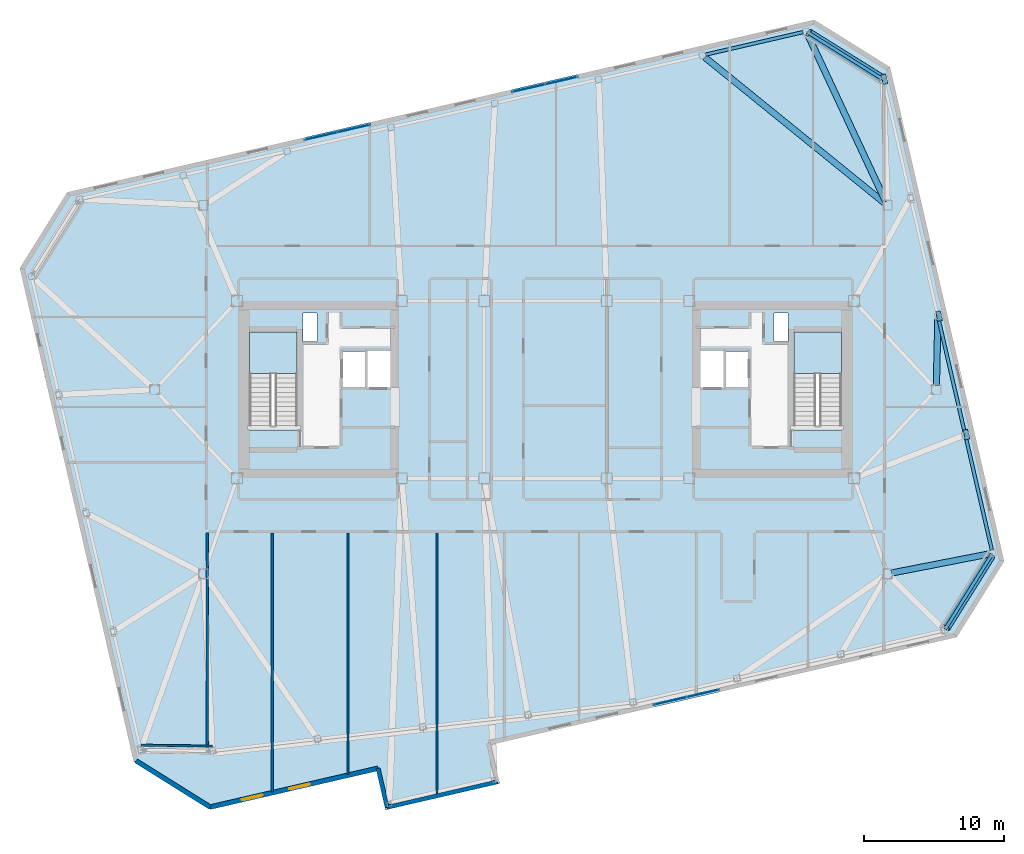
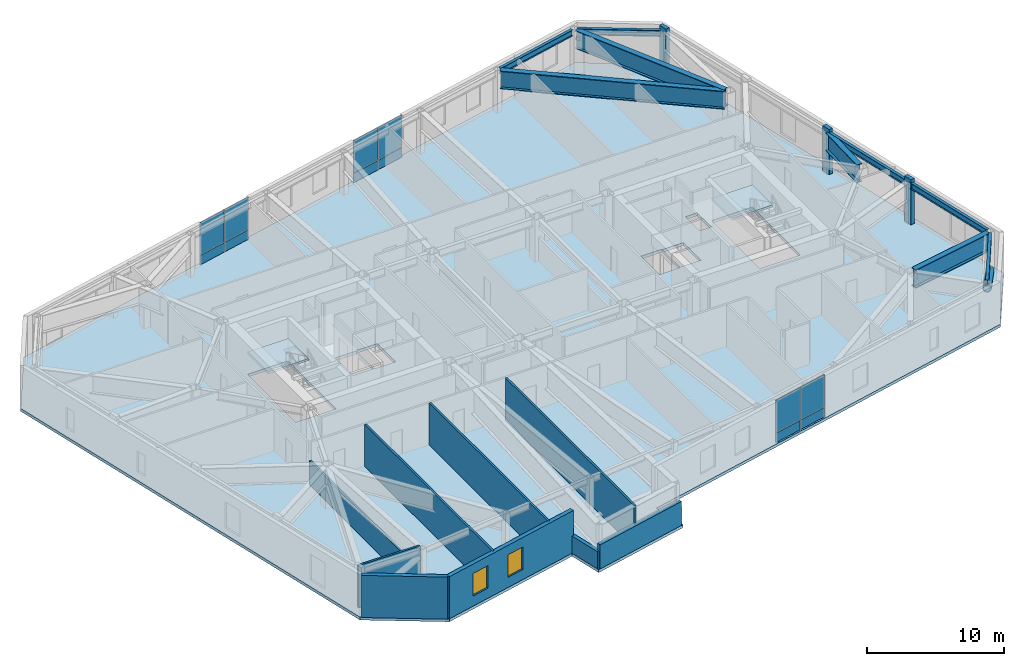
# One storey, part 13 of 21: 12 plates, 9 beams, 9 walls, 5 members, 3 slabs, 2 windows, 2 openings, 5 elements without a shape of their own.
"""IFC4 building model written with IfcOpenShell, lengths in metres."""

from ifc_helpers import new_model, si_unit, direction, frame, frame_2d, origin, origin_2d, place, context, subcontext, project, spatial, polyline, rectangle, hollow_circle, i_section, outline, extrude, material, layer, layer_set, material_profile, profile_set, type_object, element, fill, aggregate, save


model = new_model("IFC4")

# Units and contexts
model_context = context("Model", 3, precision=1e-05, world=origin(), true_north=direction((0.0, 1.0)))
body_context = subcontext(model_context, "Body", "Model", "MODEL_VIEW")
ifc_project = project(units=[si_unit("LENGTHUNIT", "METRE"), si_unit("AREAUNIT", "SQUARE_METRE"), si_unit("VOLUMEUNIT", "CUBIC_METRE"), si_unit("PLANEANGLEUNIT", "RADIAN"), si_unit("MASSUNIT", "GRAM", prefix="KILO")], contexts=[model_context])

# Site, building, storey
site_placement = place(None, origin())
site = spatial("IfcSite", under=ifc_project, at=site_placement, CompositionType="ELEMENT")
building_placement = place(site_placement, origin())
building = spatial("IfcBuilding", under=site, at=building_placement, Name="Tavrogorsk Clinical Tower", CompositionType="ELEMENT")
storey_placement = place(building_placement, frame((0.0, 0.0, 281.0)))
storey = spatial("IfcBuildingStorey", under=building, at=storey_placement, Name="L65", CompositionType="ELEMENT", Elevation=281.0)

# Members
ifc_material_1 = material(Name="Structural steel S440", Category="steel")
ifc_material_profile_1 = material_profile(ifc_material_1, hollow_circle(Radius=0.304931640625, WallThickness=0.02490234375, at=origin_2d()), Name="CHS-610x25")
ifc_profile_set_1 = profile_set([ifc_material_profile_1], Name="Structural steel S440")
member_type_1 = type_object("IfcMemberType", Name="ExoBrace_CHS610", PredefinedType="BRACE", material=ifc_profile_set_1)
for number, where, z_axis, x_axis, name in (
    (1, (31.9228515625, -11.9091796875, 0.393310546875), (-0.485685891885, -0.777193135924, 0.40010004236), (0.848027637525, -0.529952003481, 0.0), "L65 Corner Exoskeleton Brace S8-E1"),
    (2, (24.017578125, 22.332275390625, 0.393310546875), (-0.777221605895, 0.485643868835, 0.400095748531), (-0.529905066536, -0.848056967697, 0.0), "L65 Corner Exoskeleton Brace E5-N1"),
):
    element("IfcMember", number, at=place(storey_placement, frame(where, z_axis=z_axis, x_axis=x_axis)), inside=storey, type_object=member_type_1, Name=name, PredefinedType="BRACE", context=body_context, shape_type="SweptSolid", body=[
        extrude(hollow_circle(Radius=0.304931640625, WallThickness=0.02490234375, at=origin_2d()), origin(), (0.0, 0.0, 1.0), 6.63232421875),
    ])
ifc_material_2 = material(Name="Precast concrete B45 with limestone cladding", Category="masonry")
ifc_material_profile_2 = material_profile(ifc_material_2, rectangle(XDim=0.320068359375, YDim=0.719970703125, at=origin_2d()), Name="LIMESTONE-FIN-320x720")
ifc_profile_set_2 = profile_set([ifc_material_profile_2], Name="Precast concrete B45 with limestone cladding")
member_type_2 = type_object("IfcMemberType", Name="LimestonePleatFin_320x720", PredefinedType="USERDEFINED", material=ifc_profile_set_2)
for number, where, z_axis, x_axis, name in (
    (3, (30.154541015625, -3.223388671875, 0.0), (0.0, 0.0, 1.0), (0.974370064785, 0.224951054344, 0.0), "L65 E Pleated Stone Fin 1"),
    (4, (28.1953125, 5.263427734375, 0.0), (0.0, 0.0, 1.0), (0.974370064785, 0.224951054344, 0.0), "L65 E Pleated Stone Fin 2"),
    (5, (24.276611328125, 22.237060546875, 0.0), (0.0, 0.0, 1.0), (0.974370064785, 0.224951054344, 0.0), "L65 E Pleated Stone Fin 4"),
):
    element("IfcMember", number, at=place(storey_placement, frame(where, z_axis=z_axis, x_axis=x_axis)), inside=storey, type_object=member_type_2, Name=name, ObjectType="FIN", PredefinedType="USERDEFINED", context=body_context, shape_type="SweptSolid", body=[
        extrude(rectangle(XDim=0.320068359375, YDim=0.719970703125, at=origin_2d()), origin(), (0.0, 0.0, 1.0), 4.0),
    ])

# Beams
ifc_material_3 = material(Name="Structural steel S390", Category="steel")
ifc_material_profile_3 = material_profile(ifc_material_3, i_section(OverallWidth=0.239990234375, OverallDepth=0.550048828125, WebThickness=0.013916015625, FlangeThickness=0.02197265625, at=origin_2d()), Name="B-550x240x14x22")
ifc_profile_set_3 = profile_set([ifc_material_profile_3], Name="Structural steel S390")
beam_type_1 = type_object("IfcBeamType", Name="SpandrelBeam_B550", PredefinedType="SPANDREL", material=ifc_profile_set_3)
beam_1_placement = place(storey_placement, frame((28.712158203125, -17.04736328125, 3.465087890625), z_axis=(0.529904457892, 0.848057348006, 0.0), x_axis=(-0.848057348006, 0.529904457892, 0.0)))
element("IfcBeam", 6, at=beam_1_placement, inside=storey, type_object=beam_type_1, Name="L65 Perimeter Spandrel S8-E1", PredefinedType="SPANDREL", context=body_context, shape_type="SweptSolid", body=[
    extrude(i_section(OverallWidth=0.239990234375, OverallDepth=0.550048828125, WebThickness=0.013916015625, FlangeThickness=0.02197265625, at=origin_2d()), origin(), (0.0, 0.0, 1.0), 6.039306640625),
])
for number, where, z_axis, x_axis, name in (
    (7, (31.9833984375, -11.5009765625, 3.465087890625), (-0.224950345141, 0.974370228517, 0.0), (-0.974370228517, -0.224950345141, 0.0), "L65 Perimeter Spandrel E1-E2"),
    (8, (30.024169921875, -3.01416015625, 3.465087890625), (-0.224950345141, 0.974370228517, 0.0), (-0.974370228517, -0.224950345141, 0.0), "L65 Perimeter Spandrel E2-E3"),
):
    element("IfcBeam", number, at=place(storey_placement, frame(where, z_axis=z_axis, x_axis=x_axis)), inside=storey, type_object=beam_type_1, Name=name, PredefinedType="SPANDREL", context=body_context, shape_type="SweptSolid", body=[
        extrude(i_section(OverallWidth=0.239990234375, OverallDepth=0.550048828125, WebThickness=0.013916015625, FlangeThickness=0.02197265625, at=origin_2d()), origin(), (0.0, 0.0, 1.0), 8.243896484375),
    ])
beam_2_placement = place(storey_placement, frame((24.0009765625, 22.342529296875, 3.465087890625), z_axis=(-0.848057348006, 0.529904457892, 0.0), x_axis=(-0.529904457892, -0.848057348006, 0.0)))
element("IfcBeam", 9, at=beam_2_placement, inside=storey, type_object=beam_type_1, Name="L65 Perimeter Spandrel E5-N1", PredefinedType="SPANDREL", context=body_context, shape_type="SweptSolid", body=[
    extrude(i_section(OverallWidth=0.239990234375, OverallDepth=0.550048828125, WebThickness=0.013916015625, FlangeThickness=0.02197265625, at=origin_2d()), origin(), (0.0, 0.0, 1.0), 6.039306640625),
])
beam_3_placement = place(storey_placement, frame((18.45458984375, 25.61376953125, 3.465087890625), z_axis=(-0.974375120167, -0.224929155956, 0.0), x_axis=(0.224929155956, -0.974375120167, 0.0)))
element("IfcBeam", 10, at=beam_3_placement, inside=storey, type_object=beam_type_1, Name="L65 Perimeter Spandrel N1-N2", PredefinedType="SPANDREL", context=body_context, shape_type="SweptSolid", body=[
    extrude(i_section(OverallWidth=0.239990234375, OverallDepth=0.550048828125, WebThickness=0.013916015625, FlangeThickness=0.02197265625, at=origin_2d()), origin(), (0.0, 0.0, 1.0), 7.16796875),
])
ifc_material_4 = material(Name="Structural steel S440", Category="steel")
ifc_material_profile_4 = material_profile(ifc_material_4, i_section(OverallWidth=0.449951171875, OverallDepth=1.60009765625, WebThickness=0.031982421875, FlangeThickness=0.050048828125, at=origin_2d()), Name="DK-1600x450x32x50")
ifc_profile_set_4 = profile_set([ifc_material_profile_4], Name="Structural steel S440")
beam_type_2 = type_object("IfcBeamType", Name="TransferGirder_DK1600", PredefinedType="USERDEFINED", material=ifc_profile_set_4)
beam_4_placement = place(storey_placement, frame((24.368896484375, 13.48095703125, 2.93994140625), z_axis=(-0.422928957087, 0.906162842571, 0.0), x_axis=(-0.906162842571, -0.422928957087, 0.0)))
element("IfcBeam", 11, at=beam_4_placement, inside=storey, type_object=beam_type_2, Name="L65 Radial Floor Beam N1", ObjectType="GIRDER", PredefinedType="USERDEFINED", context=body_context, shape_type="SweptSolid", body=[
    extrude(i_section(OverallWidth=0.449951171875, OverallDepth=1.60009765625, WebThickness=0.031982421875, FlangeThickness=0.050048828125, at=origin_2d()), origin(), (0.0, 0.0, 1.0), 13.214111328125),
])
beam_5_placement = place(storey_placement, frame((24.25927734375, 13.395263671875, 2.93994140625), z_axis=(-0.77675399059, 0.629804126774, 0.0), x_axis=(-0.629804126774, -0.77675399059, 0.0)))
element("IfcBeam", 12, at=beam_5_placement, inside=storey, type_object=beam_type_2, Name="L65 Radial Floor Beam N2", ObjectType="GIRDER", PredefinedType="USERDEFINED", context=body_context, shape_type="SweptSolid", body=[
    extrude(i_section(OverallWidth=0.449951171875, OverallDepth=1.60009765625, WebThickness=0.031982421875, FlangeThickness=0.050048828125, at=origin_2d()), origin(), (0.0, 0.0, 1.0), 16.524169921875),
])
beam_6_placement = place(storey_placement, frame((24.80419921875, -13.140625, 2.93994140625), z_axis=(0.981451198395, 0.191712141424, 0.0), x_axis=(-0.191712141424, 0.981451198395, 0.0)))
element("IfcBeam", 13, at=beam_6_placement, inside=storey, type_object=beam_type_2, Name="L65 Radial Floor Beam E1", ObjectType="GIRDER", PredefinedType="USERDEFINED", context=body_context, shape_type="SweptSolid", body=[
    extrude(i_section(OverallWidth=0.449951171875, OverallDepth=1.60009765625, WebThickness=0.031982421875, FlangeThickness=0.050048828125, at=origin_2d()), origin(), (0.0, 0.0, 1.0), 7.13525390625),
])
beam_7_placement = place(storey_placement, frame((28.0068359375, 0.309814453125, 2.93994140625), z_axis=(0.022370062613, 0.999749758839, 0.0), x_axis=(-0.999749758839, 0.022370062613, 0.0)))
element("IfcBeam", 14, at=beam_7_placement, inside=storey, type_object=beam_type_2, Name="L65 Radial Floor Beam E3", ObjectType="GIRDER", PredefinedType="USERDEFINED", context=body_context, shape_type="SweptSolid", body=[
    extrude(i_section(OverallWidth=0.449951171875, OverallDepth=1.60009765625, WebThickness=0.031982421875, FlangeThickness=0.050048828125, at=origin_2d()), origin(), (0.0, 0.0, 1.0), 4.703857421875),
])

# Curtain wall, plates
ifc_material_5 = material(Name="Anodised aluminium and triple IGU glazing", Category="aluminium")
ifc_layer_1 = layer(ifc_material_5, 0.179931640625)
ifc_layer_set_1 = layer_set([ifc_layer_1], Name="Anodised aluminium and triple IGU glazing")
curtain_wall_type_1 = type_object("IfcCurtainWallType", Name="CW3_SouthSlot", PredefinedType="NOTDEFINED", material=ifc_layer_set_1)
curtain_wall_1_placement = place(storey_placement, origin())
curtain_wall_1 = element("IfcCurtainWall", 15, at=curtain_wall_1_placement, inside=storey, type_object=curtain_wall_type_1, Name="L65 Curtain Wall CW-L65-S-SLOT-2", PredefinedType="NOTDEFINED")
ifc_material_6 = material(Name="Honed Podolsk limestone spandrel panel", Category="masonry")
ifc_layer_2 = layer(ifc_material_6, 0.080078125)
ifc_layer_set_2 = layer_set([ifc_layer_2], Name="Honed Podolsk limestone spandrel panel")
plate_type_1 = type_object("IfcPlateType", Name="CwSpandrelStonePanel_80", PredefinedType="CURTAIN_PANEL", material=ifc_layer_set_2)
plate_1_placement = place(storey_placement, frame((8.9296875, -22.306884765625, 0.001953125), z_axis=(0.0, 0.0, 1.0), x_axis=(0.974370057377, 0.224951086434, 0.0)))
plate_1 = element("IfcPlate", 16, at=plate_1_placement, type_object=plate_type_1, Name="CW-L65-S-SLOT-2 Stone Spandrel Panel 1", PredefinedType="CURTAIN_PANEL", context=body_context, shape_type="SweptSolid", body=[
    extrude(rectangle(XDim=2.39208984375, YDim=0.080078125, at=origin_2d()), origin(), (0.0, 0.0, 1.0), 0.8359375),
])
plate_2_placement = place(storey_placement, frame((11.28369140625, -21.763427734375, 0.001953125), z_axis=(0.0, 0.0, 1.0), x_axis=(0.974370057377, 0.224951086434, 0.0)))
plate_2 = element("IfcPlate", 17, at=plate_2_placement, type_object=plate_type_1, Name="CW-L65-S-SLOT-2 Stone Spandrel Panel 2", PredefinedType="CURTAIN_PANEL", context=body_context, shape_type="SweptSolid", body=[
    extrude(rectangle(XDim=2.39208984375, YDim=0.080078125, at=origin_2d()), origin(), (0.0, 0.0, 1.0), 0.8359375),
])

ifc_material_7 = material(Name="Anodised aluminium and triple IGU glazing", Category="aluminium")
ifc_layer_3 = layer(ifc_material_7, 0.179931640625)
ifc_layer_set_3 = layer_set([ifc_layer_3], Name="Anodised aluminium and triple IGU glazing")
curtain_wall_type_2 = type_object("IfcCurtainWallType", Name="CW2_NorthSlot", PredefinedType="NOTDEFINED", material=ifc_layer_set_3)
curtain_wall_2_placement = place(storey_placement, origin())
curtain_wall_2 = element("IfcCurtainWall", 18, at=curtain_wall_2_placement, inside=storey, type_object=curtain_wall_type_2, Name="L65 Curtain Wall CW-L65-N-SLOT-1", PredefinedType="NOTDEFINED")
plate_3_placement = place(storey_placement, frame((-13.729736328125, 18.70703125, 0.001953125), z_axis=(0.0, 0.0, 1.0), x_axis=(-0.974370057377, -0.224951086434, 0.0)))
plate_3 = element("IfcPlate", 19, at=plate_3_placement, type_object=plate_type_1, Name="CW-L65-N-SLOT-1 Stone Spandrel Panel 1", PredefinedType="CURTAIN_PANEL", context=body_context, shape_type="SweptSolid", body=[
    extrude(rectangle(XDim=2.39208984375, YDim=0.080078125, at=origin_2d()), origin(), (0.0, 0.0, 1.0), 0.8359375),
])
plate_4_placement = place(storey_placement, frame((-16.083740234375, 18.16357421875, 0.001953125), z_axis=(0.0, 0.0, 1.0), x_axis=(-0.974370057377, -0.224951086434, 0.0)))
plate_4 = element("IfcPlate", 20, at=plate_4_placement, type_object=plate_type_1, Name="CW-L65-N-SLOT-1 Stone Spandrel Panel 2", PredefinedType="CURTAIN_PANEL", context=body_context, shape_type="SweptSolid", body=[
    extrude(rectangle(XDim=2.39208984375, YDim=0.080078125, at=origin_2d()), origin(), (0.0, 0.0, 1.0), 0.8359375),
])

curtain_wall_3_placement = place(storey_placement, origin())
curtain_wall_3 = element("IfcCurtainWall", 21, at=curtain_wall_3_placement, inside=storey, type_object=curtain_wall_type_2, Name="L65 Curtain Wall CW-L65-N-SLOT-2", PredefinedType="NOTDEFINED")
plate_5_placement = place(storey_placement, frame((1.1474609375, 22.1416015625, 0.001953125), z_axis=(0.0, 0.0, 1.0), x_axis=(-0.974370092441, -0.224950934554, 0.0)))
plate_5 = element("IfcPlate", 22, at=plate_5_placement, type_object=plate_type_1, Name="CW-L65-N-SLOT-2 Stone Spandrel Panel 1", PredefinedType="CURTAIN_PANEL", context=body_context, shape_type="SweptSolid", body=[
    extrude(rectangle(XDim=2.39208984375, YDim=0.080078125, at=origin_2d()), origin(), (0.0, 0.0, 1.0), 0.8359375),
])
plate_6_placement = place(storey_placement, frame((-1.20654296875, 21.59814453125, 0.001953125), z_axis=(0.0, 0.0, 1.0), x_axis=(-0.974370092441, -0.224950934554, 0.0)))
plate_6 = element("IfcPlate", 23, at=plate_6_placement, type_object=plate_type_1, Name="CW-L65-N-SLOT-2 Stone Spandrel Panel 2", PredefinedType="CURTAIN_PANEL", context=body_context, shape_type="SweptSolid", body=[
    extrude(rectangle(XDim=2.39208984375, YDim=0.080078125, at=origin_2d()), origin(), (0.0, 0.0, 1.0), 0.8359375),
])

# Plate
ifc_material_8 = material(Name="Triple low-E argon insulated glass", Category="glass")
ifc_layer_4 = layer(ifc_material_8, 0.048095703125)
ifc_layer_set_4 = layer_set([ifc_layer_4], Name="Triple low-E argon insulated glass")
plate_type_2 = type_object("IfcPlateType", Name="CwVisionGlassPanel_48", PredefinedType="CURTAIN_PANEL", material=ifc_layer_set_4)
plate_7_placement = place(storey_placement, frame((8.9296875, -22.306884765625, 0.862060546875), z_axis=(0.0, 0.0, 1.0), x_axis=(0.974370057377, 0.224951086434, 0.0)))
plate_7 = element("IfcPlate", 24, at=plate_7_placement, type_object=plate_type_2, Name="CW-L65-S-SLOT-2 Glazing Panel 1", PredefinedType="CURTAIN_PANEL", context=body_context, shape_type="SweptSolid", body=[
    extrude(rectangle(XDim=2.39208984375, YDim=0.048095703125, at=origin_2d()), origin(), (0.0, 0.0, 1.0), 2.8759765625),
])

plate_8_placement = place(storey_placement, frame((11.28369140625, -21.763427734375, 0.862060546875), z_axis=(0.0, 0.0, 1.0), x_axis=(0.974370057377, 0.224951086434, 0.0)))
plate_8 = element("IfcPlate", 25, at=plate_8_placement, type_object=plate_type_2, Name="CW-L65-S-SLOT-2 Glazing Panel 2", PredefinedType="CURTAIN_PANEL", context=body_context, shape_type="SweptSolid", body=[
    extrude(rectangle(XDim=2.39208984375, YDim=0.048095703125, at=origin_2d()), origin(), (0.0, 0.0, 1.0), 2.8759765625),
])

aggregate(curtain_wall_1, [plate_1, plate_7, plate_2, plate_8])

plate_9_placement = place(storey_placement, frame((-13.729736328125, 18.70703125, 0.862060546875), z_axis=(0.0, 0.0, 1.0), x_axis=(-0.974370057377, -0.224951086434, 0.0)))
plate_9 = element("IfcPlate", 26, at=plate_9_placement, type_object=plate_type_2, Name="CW-L65-N-SLOT-1 Glazing Panel 1", PredefinedType="CURTAIN_PANEL", context=body_context, shape_type="SweptSolid", body=[
    extrude(rectangle(XDim=2.39208984375, YDim=0.048095703125, at=origin_2d()), origin(), (0.0, 0.0, 1.0), 2.8759765625),
])

plate_10_placement = place(storey_placement, frame((-16.083740234375, 18.16357421875, 0.862060546875), z_axis=(0.0, 0.0, 1.0), x_axis=(-0.974370057377, -0.224951086434, 0.0)))
plate_10 = element("IfcPlate", 27, at=plate_10_placement, type_object=plate_type_2, Name="CW-L65-N-SLOT-1 Glazing Panel 2", PredefinedType="CURTAIN_PANEL", context=body_context, shape_type="SweptSolid", body=[
    extrude(rectangle(XDim=2.39208984375, YDim=0.048095703125, at=origin_2d()), origin(), (0.0, 0.0, 1.0), 2.8759765625),
])

aggregate(curtain_wall_2, [plate_3, plate_9, plate_4, plate_10])

plate_11_placement = place(storey_placement, frame((1.1474609375, 22.1416015625, 0.862060546875), z_axis=(0.0, 0.0, 1.0), x_axis=(-0.974370092441, -0.224950934554, 0.0)))
plate_11 = element("IfcPlate", 28, at=plate_11_placement, type_object=plate_type_2, Name="CW-L65-N-SLOT-2 Glazing Panel 1", PredefinedType="CURTAIN_PANEL", context=body_context, shape_type="SweptSolid", body=[
    extrude(rectangle(XDim=2.39208984375, YDim=0.048095703125, at=origin_2d()), origin(), (0.0, 0.0, 1.0), 2.8759765625),
])

plate_12_placement = place(storey_placement, frame((-1.20654296875, 21.59814453125, 0.862060546875), z_axis=(0.0, 0.0, 1.0), x_axis=(-0.974370092441, -0.224950934554, 0.0)))
plate_12 = element("IfcPlate", 29, at=plate_12_placement, type_object=plate_type_2, Name="CW-L65-N-SLOT-2 Glazing Panel 2", PredefinedType="CURTAIN_PANEL", context=body_context, shape_type="SweptSolid", body=[
    extrude(rectangle(XDim=2.39208984375, YDim=0.048095703125, at=origin_2d()), origin(), (0.0, 0.0, 1.0), 2.8759765625),
])

aggregate(curtain_wall_3, [plate_5, plate_11, plate_6, plate_12])

# Stair, slab
ifc_material_9 = material(Name="Concrete B60", Category="concrete")
stair_type = type_object("IfcStairType", Name="CoreStairAssembly", PredefinedType="HALF_TURN_STAIR", material=ifc_material_9)
stair_1_placement = place(storey_placement, origin())
stair_1 = element("IfcStair", 30, at=stair_1_placement, inside=storey, type_object=stair_type, Name="L65 ST-W", PredefinedType="HALF_TURN_STAIR")
ifc_material_10 = material(Name="Concrete B60", Category="concrete")
ifc_layer_5 = layer(ifc_material_10, 0.199951171875)
ifc_layer_set_5 = layer_set([ifc_layer_5], Name="Concrete B60")
slab_type_1 = type_object("IfcSlabType", Name="StairLanding_200", PredefinedType="LANDING", material=ifc_layer_set_5)
slab_1_placement = place(storey_placement, frame((0.0, 0.0, 1.800048828125)))
slab_1 = element("IfcSlab", 31, at=slab_1_placement, type_object=slab_type_1, Name="ST-W landing 1", PredefinedType="LANDING", context=body_context, shape_type="SweptSolid", body=[
    extrude(outline(polyline([(-17.800048828125, 1.1650390625), (-17.800048828125, 4.125), (-21.199951171875, 4.125), (-21.199951171875, 1.1650390625), (-17.800048828125, 1.1650390625)])), origin(), (0.0, 0.0, 1.0), 0.199951171875),
])
aggregate(stair_1, [slab_1])

stair_2_placement = place(storey_placement, origin())
stair_2 = element("IfcStair", 32, at=stair_2_placement, inside=storey, type_object=stair_type, Name="L65 ST-E", PredefinedType="HALF_TURN_STAIR")
slab_2_placement = place(storey_placement, frame((0.0, 0.0, 1.800048828125)))
slab_2 = element("IfcSlab", 33, at=slab_2_placement, type_object=slab_type_1, Name="ST-E landing 1", PredefinedType="LANDING", context=body_context, shape_type="SweptSolid", body=[
    extrude(outline(polyline([(21.199951171875, 1.1650390625), (21.199951171875, 4.125), (17.800048828125, 4.125), (17.800048828125, 1.1650390625), (21.199951171875, 1.1650390625)])), origin(), (0.0, 0.0, 1.0), 0.199951171875),
])
aggregate(stair_2, [slab_2])

# Slab
ifc_material_11 = material(Name="Concrete B60", Category="concrete")
ifc_layer_6 = layer(ifc_material_11, 0.260009765625)
ifc_layer_set_6 = layer_set([ifc_layer_6], Name="Concrete B60")
slab_type_2 = type_object("IfcSlabType", Name="WardSlab_260", PredefinedType="FLOOR", material=ifc_layer_set_6)
slab_3_placement = place(storey_placement, frame((0.0, 0.0, -0.260009765625)))
element("IfcSlab", 34, at=slab_3_placement, inside=storey, type_object=slab_type_2, Name="L65 Structural Slab", PredefinedType="FLOOR", context=body_context, shape_type="SweptSolid", body=[
    extrude(outline(polyline([(-23.991455078125, -30.081787109375), (-29.50830078125, -26.634521484375), (-37.651611328125, 8.6376953125), (-34.2041015625, 14.154541015625), (19.19140625, 26.48193359375), (24.708251953125, 23.034423828125), (32.8515625, -12.23779296875), (29.404052734375, -17.75439453125), (-3.919189453125, -25.447998046875), (-3.2783203125, -28.224853515625), (-11.462890625, -30.114501953125), (-12.10400390625, -27.33740234375), (-23.991455078125, -30.081787109375)]), holes=[polyline([(-17.800048828125, -2.8798828125), (-17.800048828125, 4.125), (-21.199951171875, 4.125), (-21.199951171875, -2.8798828125), (-17.800048828125, -2.8798828125)]), polyline([(21.199951171875, -2.8798828125), (21.199951171875, 4.125), (17.800048828125, 4.125), (17.800048828125, -2.8798828125), (21.199951171875, -2.8798828125)]), polyline([(-14.6201171875, 0.169921875), (-12.860107421875, 0.169921875), (-12.860107421875, 2.72998046875), (-14.6201171875, 2.72998046875), (-14.6201171875, 0.169921875)]), polyline([(-12.840087890625, 0.1201171875), (-11.080078125, 0.1201171875), (-11.080078125, 2.780029296875), (-12.840087890625, 2.780029296875), (-12.840087890625, 0.1201171875)]), polyline([(12.860107421875, 0.169921875), (14.6201171875, 0.169921875), (14.6201171875, 2.72998046875), (12.860107421875, 2.72998046875), (12.860107421875, 0.169921875)]), polyline([(11.080078125, 0.1201171875), (12.840087890625, 0.1201171875), (12.840087890625, 2.780029296875), (11.080078125, 2.780029296875), (11.080078125, 0.1201171875)]), polyline([(-17.3798828125, 3.449951171875), (-16.3798828125, 3.449951171875), (-16.3798828125, 5.5), (-17.3798828125, 5.5), (-17.3798828125, 3.449951171875)]), polyline([(16.3798828125, 3.449951171875), (17.3798828125, 3.449951171875), (17.3798828125, 5.5), (16.3798828125, 5.5), (16.3798828125, 3.449951171875)])]), origin(), (0.0, 0.0, 1.0), 0.260009765625),
])

# Walls
ifc_material_12 = material(Name="Lightweight concrete blockwork B15", Category="masonry")
ifc_layer_7 = layer(ifc_material_12, 0.159912109375)
ifc_layer_set_7 = layer_set([ifc_layer_7], Name="Lightweight concrete blockwork B15")
wall_type_1 = type_object("IfcWallType", Name="PartitionWall_160", PredefinedType="PARTITIONING", material=ifc_layer_set_7)
wall_1_placement = place(storey_placement, frame((-28.994140625, -25.47900390625, 0.0), z_axis=(0.0, 0.0, 1.0), x_axis=(0.999915052546, -0.01303409726, 0.0)))
element("IfcWall", 35, at=wall_1_placement, inside=storey, type_object=wall_type_1, Name="L65 Corner Exoskeleton Brace Furring Wall 4", PredefinedType="PARTITIONING", context=body_context, shape_type="SweptSolid", body=[
    extrude(rectangle(XDim=5.13232421875, YDim=0.159912109375, at=frame_2d((2.566162109375, 0.0))), origin(), (0.0, 0.0, 1.0), 3.739990234375),
])
wall_2_placement = place(storey_placement, frame((-24.22998046875, -25.535888671875, 0.0), z_axis=(0.0, 0.0, 1.0), x_axis=(0.0, 1.0, 0.0)))
element("IfcWall", 36, at=wall_2_placement, inside=storey, type_object=wall_type_1, Name="L65 SW Wing Closure Partition", PredefinedType="PARTITIONING", context=body_context, shape_type="SweptSolid", body=[
    extrude(rectangle(XDim=15.27099609375, YDim=0.159912109375, at=frame_2d((7.635498046875, 0.0))), origin(), (0.0, 0.0, 1.0), 2.135009765625),
])
wall_3_placement = place(storey_placement, frame((-19.580078125, -28.817138671875, 0.0), z_axis=(0.0, 0.0, 1.0), x_axis=(0.0, 1.0, 0.0)))
element("IfcWall", 37, at=wall_3_placement, inside=storey, type_object=wall_type_1, Name="L65 South Room Partition 1", PredefinedType="PARTITIONING", context=body_context, shape_type="SweptSolid", body=[
    extrude(rectangle(XDim=18.55224609375, YDim=0.159912109375, at=frame_2d((9.276123046875, 0.0))), origin(), (0.0, 0.0, 1.0), 3.739990234375),
])
wall_4_placement = place(storey_placement, frame((-14.159912109375, -27.56591796875, 0.0), z_axis=(0.0, 0.0, 1.0), x_axis=(0.0, 1.0, 0.0)))
element("IfcWall", 38, at=wall_4_placement, inside=storey, type_object=wall_type_1, Name="L65 South Room Partition 2", PredefinedType="PARTITIONING", context=body_context, shape_type="SweptSolid", body=[
    extrude(rectangle(XDim=17.301025390625, YDim=0.159912109375, at=frame_2d((8.650390625, 0.0))), origin(), (0.0, 0.0, 1.0), 3.739990234375),
])
wall_5_placement = place(storey_placement, frame((-7.77001953125, -29.015380859375, 0.0), z_axis=(0.0, 0.0, 1.0), x_axis=(0.0, 1.0, 0.0)))
element("IfcWall", 39, at=wall_5_placement, inside=storey, type_object=wall_type_1, Name="L65 South Sub-Partition 3", PredefinedType="PARTITIONING", context=body_context, shape_type="SweptSolid", body=[
    extrude(rectangle(XDim=18.75048828125, YDim=0.159912109375, at=frame_2d((9.375244140625, 0.0))), origin(), (0.0, 0.0, 1.0), 3.739990234375),
])

# Wall, openings, windows
ifc_material_13 = material(Name="Precast concrete B45 with limestone cladding", Category="masonry")
ifc_layer_8 = layer(ifc_material_13, 0.340087890625)
ifc_layer_set_8 = layer_set([ifc_layer_8], Name="Precast concrete B45 with limestone cladding")
wall_type_2 = type_object("IfcWallType", Name="PrecastLimestoneWall_340", PredefinedType="STANDARD", material=ifc_layer_set_8)
wall_6_placement = place(storey_placement, frame((-24.029541015625, -29.916259765625, 0.0), z_axis=(0.0, 0.0, 1.0), x_axis=(0.974371201193, 0.224946131964, 0.0)))
wall_6 = element("IfcWall", 40, at=wall_6_placement, inside=storey, type_object=wall_type_2, Name="L65 S Limestone Facade Wall 1", PredefinedType="STANDARD", context=body_context, shape_type="SweptSolid", body=[
    extrude(rectangle(XDim=12.349853515625, YDim=0.340087890625, at=frame_2d((6.1748046875, 0.0))), origin(), (0.0, 0.0, 1.0), 3.739990234375),
])
opening_1_placement = place(wall_6_placement, frame((2.35009765625, 0.0, 0.89990234375)))
opening_1 = element("IfcOpeningElement", 41, at=opening_1_placement, cuts=wall_6, Name="Opening WN-05", PredefinedType="OPENING", context=body_context, shape_type="SweptSolid", body=[
    extrude(rectangle(XDim=1.5, YDim=2.0, at=frame_2d((0.75, 1.0))), frame((0.0, 0.179931640625, 0.0), z_axis=(0.0, -1.0, 0.0), x_axis=(1.0, 0.0, 0.0)), (0.0, 0.0, 1.0), 0.360107421875),
])
opening_2_placement = place(wall_6_placement, frame((5.81689453125, 0.0, 0.89990234375)))
opening_2 = element("IfcOpeningElement", 42, at=opening_2_placement, cuts=wall_6, Name="Opening WN-05", PredefinedType="OPENING", context=body_context, shape_type="SweptSolid", body=[
    extrude(rectangle(XDim=1.5, YDim=2.0, at=frame_2d((0.75, 1.0))), frame((0.0, 0.179931640625, 0.0), z_axis=(0.0, -1.0, 0.0), x_axis=(1.0, 0.0, 0.0)), (0.0, 0.0, 1.0), 0.360107421875),
])
ifc_material_14 = material(Name="Thermally broken aluminium frame and triple IGU", Category="aluminium")
window_type = type_object("IfcWindowType", Name="ConsultWin_1500x2000", PartitioningType="SINGLE_PANEL", PredefinedType="WINDOW", material=ifc_material_14)
window_1_placement = place(opening_1_placement, origin())
window_1 = element("IfcWindow", 43, at=window_1_placement, inside=storey, type_object=window_type, Name="L65 S Chicago Window 01", OverallHeight=2.0, OverallWidth=1.5, PartitioningType="SINGLE_PANEL", PredefinedType="WINDOW", context=body_context, shape_type="SweptSolid", body=[
    extrude(rectangle(XDim=1.5, YDim=2.0, at=frame_2d((0.75, 1.0))), frame((0.0, 0.030029296875, 0.0), z_axis=(0.0, -1.0, 0.0), x_axis=(1.0, 0.0, 0.0)), (0.0, 0.0, 1.0), 0.06005859375),
])
fill(opening_1, window_1)
window_2_placement = place(opening_2_placement, origin())
window_2 = element("IfcWindow", 44, at=window_2_placement, inside=storey, type_object=window_type, Name="L65 S Chicago Window 02", OverallHeight=2.0, OverallWidth=1.5, PartitioningType="SINGLE_PANEL", PredefinedType="WINDOW", context=body_context, shape_type="SweptSolid", body=[
    extrude(rectangle(XDim=1.5, YDim=2.0, at=frame_2d((0.75, 1.0))), frame((0.0, 0.030029296875, 0.0), z_axis=(0.0, -1.0, 0.0), x_axis=(1.0, 0.0, 0.0)), (0.0, 0.0, 1.0), 0.06005859375),
])
fill(opening_2, window_2)

# Walls
wall_7_placement = place(storey_placement, frame((-29.342529296875, -26.59619140625, 0.0), z_axis=(0.0, 0.0, 1.0), x_axis=(0.848037708252, -0.529935887993, 0.0)))
element("IfcWall", 45, at=wall_7_placement, inside=storey, type_object=wall_type_2, Name="L65 Chamfered Corner Wall 4", PredefinedType="STANDARD", context=body_context, shape_type="SweptSolid", body=[
    extrude(rectangle(XDim=6.26513671875, YDim=0.340087890625, at=frame_2d((3.132568359375, 0.0))), origin(), (0.0, 0.0, 1.0), 3.739990234375),
])
wall_8_placement = place(storey_placement, frame((-11.3505859375, -29.9345703125, 0.0), z_axis=(0.0, 0.0, 1.0), x_axis=(0.974366807022, 0.224965164799, 0.0)))
element("IfcWall", 46, at=wall_8_placement, inside=storey, type_object=wall_type_2, Name="L65 Day-Room Limestone Front DRB-09", PredefinedType="STANDARD", context=body_context, shape_type="SweptSolid", body=[
    extrude(rectangle(XDim=8.10009765625, YDim=0.300048828125, at=frame_2d((4.050048828125, 0.0))), origin(), (0.0, 0.0, 1.0), 2.135009765625),
])
ifc_material_15 = material(Name="Precast concrete B45 with mineral wool", Category="concrete")
ifc_layer_9 = layer(ifc_material_15, 0.300048828125)
ifc_layer_set_9 = layer_set([ifc_layer_9], Name="Precast concrete B45 with mineral wool")
wall_type_3 = type_object("IfcWallType", Name="SpandrelBackWall_300", PredefinedType="STANDARD", material=ifc_layer_set_9)
wall_9_placement = place(storey_placement, frame((-11.99609375, -27.13818359375, 0.0), z_axis=(0.0, 0.0, 1.0), x_axis=(0.224921635065, -0.974376856293, 0.0)))
element("IfcWall", 47, at=wall_9_placement, inside=storey, type_object=wall_type_3, Name="L65 Day-Room Cheek Wall DRB-09-L", PredefinedType="STANDARD", context=body_context, shape_type="SweptSolid", body=[
    extrude(rectangle(XDim=2.869873046875, YDim=0.300048828125, at=frame_2d((1.43505859375, 0.0))), origin(), (0.0, 0.0, 1.0), 1.534912109375),
])

save(model, "model.ifc")
